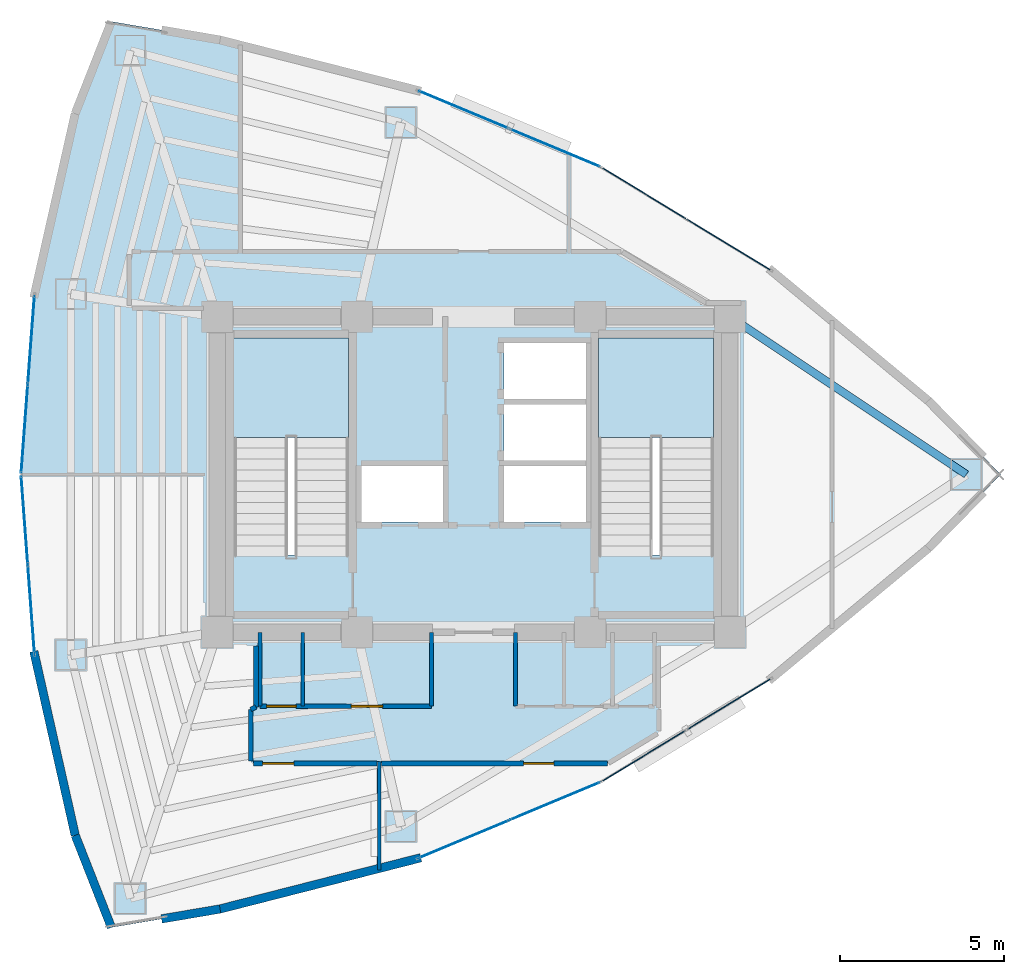
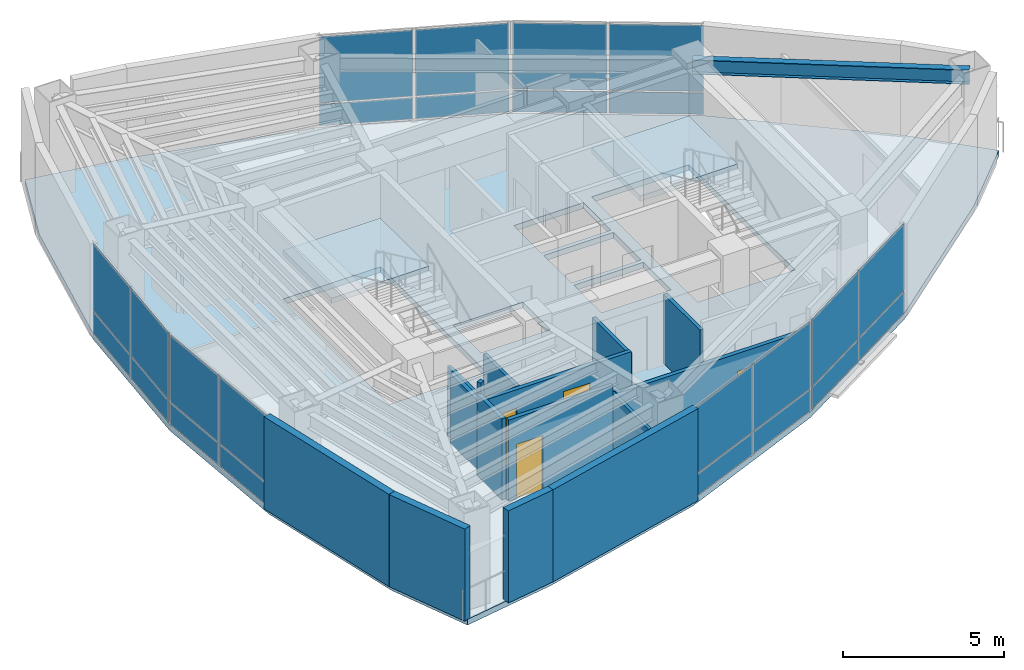
# One storey, part 11 of 15: 24 plates, 15 walls, 4 doors, 3 slabs, 1 beam, 4 openings, 8 elements without a shape of their own.
"""IFC4 building model written with IfcOpenShell, lengths in metres."""

from ifc_helpers import new_model, si_unit, direction, frame, frame_2d, origin, origin_2d, place, context, subcontext, project, spatial, polyline, rectangle, i_section, outline, extrude, material, layer, layer_set, material_profile, profile_set, type_object, element, fill, aggregate, save


model = new_model("IFC4")

# Units and contexts
model_context = context("Model", 3, precision=1e-05, world=origin(), true_north=direction((0.0, 1.0)))
body_context = subcontext(model_context, "Body", "Model", "MODEL_VIEW")
ifc_project = project(units=[si_unit("LENGTHUNIT", "METRE"), si_unit("AREAUNIT", "SQUARE_METRE"), si_unit("VOLUMEUNIT", "CUBIC_METRE"), si_unit("PLANEANGLEUNIT", "RADIAN"), si_unit("MASSUNIT", "GRAM", prefix="KILO")], contexts=[model_context])

# Site, building, storey
site_placement = place(None, origin())
site = spatial("IfcSite", under=ifc_project, at=site_placement, CompositionType="ELEMENT")
building_placement = place(site_placement, origin())
building = spatial("IfcBuilding", under=site, at=building_placement, Name="Menara Vayukalpa", CompositionType="ELEMENT")
storey_placement = place(building_placement, frame((0.0, 0.0, 187.800048828125)))
storey = spatial("IfcBuildingStorey", under=building, at=storey_placement, Name="L47", CompositionType="ELEMENT", Elevation=187.800048828125)

# Beam
ifc_material_1 = material(Name="Steel S355", Category="steel")
ifc_material_profile = material_profile(ifc_material_1, i_section(OverallWidth=0.239990234375, OverallDepth=0.550048828125, WebThickness=0.010986328125, FlangeThickness=0.01904296875, at=origin_2d()), Name="WF 550x240x11x19")
ifc_profile_set = profile_set([ifc_material_profile], Name="Steel S355")
beam_type = type_object("IfcBeamType", Name="BM-SP2", PredefinedType="SPANDREL", material=ifc_profile_set)
beam_placement = place(storey_placement, frame((40.590576171875, 22.0, 3.224853515625), z_axis=(-0.831715622571, 0.555201876052, 0.0), x_axis=(-0.555201876052, -0.831715622571, 0.0)))
element("IfcBeam", 1, at=beam_placement, inside=storey, type_object=beam_type, Name="L47 Perimeter Spandrel Beam SP01", PredefinedType="SPANDREL", context=body_context, shape_type="SweptSolid", body=[
    extrude(i_section(OverallWidth=0.239990234375, OverallDepth=0.550048828125, WebThickness=0.010986328125, FlangeThickness=0.01904296875, at=origin_2d()), origin(), (0.0, 0.0, 1.0), 8.6455078125),
])

# Curtain wall, plates
ifc_material_2 = material(Name="Anodised Terracotta Aluminium Alloy 6063-T6", Category="masonry")
ifc_layer_1 = layer(ifc_material_2, 0.139892578125)
ifc_layer_set_1 = layer_set([ifc_layer_1], Name="Anodised Terracotta Aluminium Alloy 6063-T6")
curtain_wall_type = type_object("IfcCurtainWallType", Name="CW-CW5", PredefinedType="USERDEFINED", material=ifc_layer_set_1)
curtain_wall_1_placement = place(storey_placement, origin())
curtain_wall_1 = element("IfcCurtainWall", 2, at=curtain_wall_1_placement, inside=storey, type_object=curtain_wall_type, Name="L47 High Rise Tapered Curtain Wall CW5 04", ObjectType="UNITISED", PredefinedType="USERDEFINED")
ifc_material_3 = material(Name="Low-E Double Glazing", Category="glass")
ifc_layer_2 = layer(ifc_material_3, 0.028076171875)
ifc_layer_set_2 = layer_set([ifc_layer_2], Name="Low-E Double Glazing")
plate_type = type_object("IfcPlateType", Name="CWP-CW5", PredefinedType="CURTAIN_PANEL", material=ifc_layer_set_2)
plate_1_placement = place(storey_placement, frame((33.358642578125, 28.994384765625, 0.059814453125), z_axis=(0.0, 0.0, 1.0), x_axis=(-0.854664974832, 0.519179911779, 0.0)))
plate_1 = element("IfcPlate", 3, at=plate_1_placement, type_object=plate_type, Name="CW5 panel 1.1", PredefinedType="CURTAIN_PANEL", context=body_context, shape_type="SweptSolid", body=[
    extrude(rectangle(XDim=2.9423828125, YDim=0.028076171875, at=origin_2d()), origin(), (0.0, 0.0, 1.0), 0.81005859375),
])
plate_2_placement = place(storey_placement, frame((33.358642578125, 28.994384765625, 0.93017578125), z_axis=(0.0, 0.0, 1.0), x_axis=(-0.854664974832, 0.519179911779, 0.0)))
plate_2 = element("IfcPlate", 4, at=plate_2_placement, type_object=plate_type, Name="CW5 panel 1.2", PredefinedType="CURTAIN_PANEL", context=body_context, shape_type="SweptSolid", body=[
    extrude(rectangle(XDim=2.9423828125, YDim=0.028076171875, at=origin_2d()), origin(), (0.0, 0.0, 1.0), 2.510009765625),
])
plate_3_placement = place(storey_placement, frame((30.79248046875, 30.55322265625, 0.059814453125), z_axis=(0.0, 0.0, 1.0), x_axis=(-0.854664974832, 0.519179911779, 0.0)))
plate_3 = element("IfcPlate", 5, at=plate_3_placement, type_object=plate_type, Name="CW5 panel 2.1", PredefinedType="CURTAIN_PANEL", context=body_context, shape_type="SweptSolid", body=[
    extrude(rectangle(XDim=2.9423828125, YDim=0.028076171875, at=origin_2d()), origin(), (0.0, 0.0, 1.0), 0.81005859375),
])
plate_4_placement = place(storey_placement, frame((30.79248046875, 30.55322265625, 0.93017578125), z_axis=(0.0, 0.0, 1.0), x_axis=(-0.854664974832, 0.519179911779, 0.0)))
plate_4 = element("IfcPlate", 6, at=plate_4_placement, type_object=plate_type, Name="CW5 panel 2.2", PredefinedType="CURTAIN_PANEL", context=body_context, shape_type="SweptSolid", body=[
    extrude(rectangle(XDim=2.9423828125, YDim=0.028076171875, at=origin_2d()), origin(), (0.0, 0.0, 1.0), 2.510009765625),
])
aggregate(curtain_wall_1, [plate_1, plate_2, plate_3, plate_4])

curtain_wall_2_placement = place(storey_placement, origin())
curtain_wall_2 = element("IfcCurtainWall", 7, at=curtain_wall_2_placement, inside=storey, type_object=curtain_wall_type, Name="L47 High Rise Tapered Curtain Wall CW5 05", ObjectType="UNITISED", PredefinedType="USERDEFINED")
plate_5_placement = place(storey_placement, frame((28.071044921875, 31.93896484375, 0.059814453125), z_axis=(0.0, 0.0, 1.0), x_axis=(-0.922539431351, 0.385902834406, 0.0)))
plate_5 = element("IfcPlate", 8, at=plate_5_placement, type_object=plate_type, Name="CW5 panel 1.1", PredefinedType="CURTAIN_PANEL", context=body_context, shape_type="SweptSolid", body=[
    extrude(rectangle(XDim=2.9423828125, YDim=0.028076171875, at=origin_2d()), origin(), (0.0, 0.0, 1.0), 0.81005859375),
])
plate_6_placement = place(storey_placement, frame((28.071044921875, 31.93896484375, 0.93017578125), z_axis=(0.0, 0.0, 1.0), x_axis=(-0.922539431351, 0.385902834406, 0.0)))
plate_6 = element("IfcPlate", 9, at=plate_6_placement, type_object=plate_type, Name="CW5 panel 1.2", PredefinedType="CURTAIN_PANEL", context=body_context, shape_type="SweptSolid", body=[
    extrude(rectangle(XDim=2.9423828125, YDim=0.028076171875, at=origin_2d()), origin(), (0.0, 0.0, 1.0), 2.510009765625),
])
plate_7_placement = place(storey_placement, frame((25.30126953125, 33.09765625, 0.059814453125), z_axis=(0.0, 0.0, 1.0), x_axis=(-0.922539431351, 0.385902834406, 0.0)))
plate_7 = element("IfcPlate", 10, at=plate_7_placement, type_object=plate_type, Name="CW5 panel 2.1", PredefinedType="CURTAIN_PANEL", context=body_context, shape_type="SweptSolid", body=[
    extrude(rectangle(XDim=2.9423828125, YDim=0.028076171875, at=origin_2d()), origin(), (0.0, 0.0, 1.0), 0.81005859375),
])
plate_8_placement = place(storey_placement, frame((25.30126953125, 33.09765625, 0.93017578125), z_axis=(0.0, 0.0, 1.0), x_axis=(-0.922539431351, 0.385902834406, 0.0)))
plate_8 = element("IfcPlate", 11, at=plate_8_placement, type_object=plate_type, Name="CW5 panel 2.2", PredefinedType="CURTAIN_PANEL", context=body_context, shape_type="SweptSolid", body=[
    extrude(rectangle(XDim=2.9423828125, YDim=0.028076171875, at=origin_2d()), origin(), (0.0, 0.0, 1.0), 2.510009765625),
])
aggregate(curtain_wall_2, [plate_5, plate_6, plate_7, plate_8])

curtain_wall_3_placement = place(storey_placement, origin())
curtain_wall_3 = element("IfcCurtainWall", 12, at=curtain_wall_3_placement, inside=storey, type_object=curtain_wall_type, Name="L47 High Rise Tapered Curtain Wall CW5 10", ObjectType="UNITISED", PredefinedType="USERDEFINED")
plate_9_placement = place(storey_placement, frame((12.139892578125, 26.10205078125, 0.059814453125), z_axis=(0.0, 0.0, 1.0), x_axis=(-0.074791754736, -0.9971991744, 0.0)))
plate_9 = element("IfcPlate", 13, at=plate_9_placement, type_object=plate_type, Name="CW5 panel 1.1", PredefinedType="CURTAIN_PANEL", context=body_context, shape_type="SweptSolid", body=[
    extrude(rectangle(XDim=2.662353515625, YDim=0.028076171875, at=origin_2d()), origin(), (0.0, 0.0, 1.0), 0.81005859375),
])
plate_10_placement = place(storey_placement, frame((12.139892578125, 26.10205078125, 0.93017578125), z_axis=(0.0, 0.0, 1.0), x_axis=(-0.074791754736, -0.9971991744, 0.0)))
plate_10 = element("IfcPlate", 14, at=plate_10_placement, type_object=plate_type, Name="CW5 panel 1.2", PredefinedType="CURTAIN_PANEL", context=body_context, shape_type="SweptSolid", body=[
    extrude(rectangle(XDim=2.662353515625, YDim=0.028076171875, at=origin_2d()), origin(), (0.0, 0.0, 1.0), 2.510009765625),
])
plate_11_placement = place(storey_placement, frame((11.936279296875, 23.38720703125, 0.059814453125), z_axis=(0.0, 0.0, 1.0), x_axis=(-0.074791754736, -0.9971991744, 0.0)))
plate_11 = element("IfcPlate", 15, at=plate_11_placement, type_object=plate_type, Name="CW5 panel 2.1", PredefinedType="CURTAIN_PANEL", context=body_context, shape_type="SweptSolid", body=[
    extrude(rectangle(XDim=2.662353515625, YDim=0.028076171875, at=origin_2d()), origin(), (0.0, 0.0, 1.0), 0.81005859375),
])
plate_12_placement = place(storey_placement, frame((11.936279296875, 23.38720703125, 0.93017578125), z_axis=(0.0, 0.0, 1.0), x_axis=(-0.074791754736, -0.9971991744, 0.0)))
plate_12 = element("IfcPlate", 16, at=plate_12_placement, type_object=plate_type, Name="CW5 panel 2.2", PredefinedType="CURTAIN_PANEL", context=body_context, shape_type="SweptSolid", body=[
    extrude(rectangle(XDim=2.662353515625, YDim=0.028076171875, at=origin_2d()), origin(), (0.0, 0.0, 1.0), 2.510009765625),
])
aggregate(curtain_wall_3, [plate_9, plate_10, plate_11, plate_12])

curtain_wall_4_placement = place(storey_placement, origin())
curtain_wall_4 = element("IfcCurtainWall", 17, at=curtain_wall_4_placement, inside=storey, type_object=curtain_wall_type, Name="L47 High Rise Tapered Curtain Wall CW5 11", ObjectType="UNITISED", PredefinedType="USERDEFINED")
plate_13_placement = place(storey_placement, frame((11.936279296875, 20.61279296875, 0.059814453125), z_axis=(0.0, 0.0, 1.0), x_axis=(0.074791754736, -0.9971991744, 0.0)))
plate_13 = element("IfcPlate", 18, at=plate_13_placement, type_object=plate_type, Name="CW5 panel 1.1", PredefinedType="CURTAIN_PANEL", context=body_context, shape_type="SweptSolid", body=[
    extrude(rectangle(XDim=2.662353515625, YDim=0.028076171875, at=origin_2d()), origin(), (0.0, 0.0, 1.0), 0.81005859375),
])
plate_14_placement = place(storey_placement, frame((11.936279296875, 20.61279296875, 0.93017578125), z_axis=(0.0, 0.0, 1.0), x_axis=(0.074791754736, -0.9971991744, 0.0)))
plate_14 = element("IfcPlate", 19, at=plate_14_placement, type_object=plate_type, Name="CW5 panel 1.2", PredefinedType="CURTAIN_PANEL", context=body_context, shape_type="SweptSolid", body=[
    extrude(rectangle(XDim=2.662353515625, YDim=0.028076171875, at=origin_2d()), origin(), (0.0, 0.0, 1.0), 2.510009765625),
])
plate_15_placement = place(storey_placement, frame((12.139892578125, 17.89794921875, 0.059814453125), z_axis=(0.0, 0.0, 1.0), x_axis=(0.074791754736, -0.9971991744, 0.0)))
plate_15 = element("IfcPlate", 20, at=plate_15_placement, type_object=plate_type, Name="CW5 panel 2.1", PredefinedType="CURTAIN_PANEL", context=body_context, shape_type="SweptSolid", body=[
    extrude(rectangle(XDim=2.662353515625, YDim=0.028076171875, at=origin_2d()), origin(), (0.0, 0.0, 1.0), 0.81005859375),
])
plate_16_placement = place(storey_placement, frame((12.139892578125, 17.89794921875, 0.93017578125), z_axis=(0.0, 0.0, 1.0), x_axis=(0.074791754736, -0.9971991744, 0.0)))
plate_16 = element("IfcPlate", 21, at=plate_16_placement, type_object=plate_type, Name="CW5 panel 2.2", PredefinedType="CURTAIN_PANEL", context=body_context, shape_type="SweptSolid", body=[
    extrude(rectangle(XDim=2.662353515625, YDim=0.028076171875, at=origin_2d()), origin(), (0.0, 0.0, 1.0), 2.510009765625),
])
aggregate(curtain_wall_4, [plate_13, plate_14, plate_15, plate_16])

curtain_wall_5_placement = place(storey_placement, origin())
curtain_wall_5 = element("IfcCurtainWall", 22, at=curtain_wall_5_placement, inside=storey, type_object=curtain_wall_type, Name="L47 High Rise Tapered Curtain Wall CW5 16", ObjectType="UNITISED", PredefinedType="USERDEFINED")
plate_17_placement = place(storey_placement, frame((25.30126953125, 10.90234375, 0.059814453125), z_axis=(0.0, 0.0, 1.0), x_axis=(0.922539431351, 0.385902834406, 0.0)))
plate_17 = element("IfcPlate", 23, at=plate_17_placement, type_object=plate_type, Name="CW5 panel 1.1", PredefinedType="CURTAIN_PANEL", context=body_context, shape_type="SweptSolid", body=[
    extrude(rectangle(XDim=2.9423828125, YDim=0.028076171875, at=origin_2d()), origin(), (0.0, 0.0, 1.0), 0.81005859375),
])
plate_18_placement = place(storey_placement, frame((25.30126953125, 10.90234375, 0.93017578125), z_axis=(0.0, 0.0, 1.0), x_axis=(0.922539431351, 0.385902834406, 0.0)))
plate_18 = element("IfcPlate", 24, at=plate_18_placement, type_object=plate_type, Name="CW5 panel 1.2", PredefinedType="CURTAIN_PANEL", context=body_context, shape_type="SweptSolid", body=[
    extrude(rectangle(XDim=2.9423828125, YDim=0.028076171875, at=origin_2d()), origin(), (0.0, 0.0, 1.0), 2.510009765625),
])
plate_19_placement = place(storey_placement, frame((28.071044921875, 12.06103515625, 0.059814453125), z_axis=(0.0, 0.0, 1.0), x_axis=(0.922539431351, 0.385902834406, 0.0)))
plate_19 = element("IfcPlate", 25, at=plate_19_placement, type_object=plate_type, Name="CW5 panel 2.1", PredefinedType="CURTAIN_PANEL", context=body_context, shape_type="SweptSolid", body=[
    extrude(rectangle(XDim=2.9423828125, YDim=0.028076171875, at=origin_2d()), origin(), (0.0, 0.0, 1.0), 0.81005859375),
])
plate_20_placement = place(storey_placement, frame((28.071044921875, 12.06103515625, 0.93017578125), z_axis=(0.0, 0.0, 1.0), x_axis=(0.922539431351, 0.385902834406, 0.0)))
plate_20 = element("IfcPlate", 26, at=plate_20_placement, type_object=plate_type, Name="CW5 panel 2.2", PredefinedType="CURTAIN_PANEL", context=body_context, shape_type="SweptSolid", body=[
    extrude(rectangle(XDim=2.9423828125, YDim=0.028076171875, at=origin_2d()), origin(), (0.0, 0.0, 1.0), 2.510009765625),
])
aggregate(curtain_wall_5, [plate_17, plate_18, plate_19, plate_20])

curtain_wall_6_placement = place(storey_placement, origin())
curtain_wall_6 = element("IfcCurtainWall", 27, at=curtain_wall_6_placement, inside=storey, type_object=curtain_wall_type, Name="L47 High Rise Tapered Curtain Wall CW5 17", ObjectType="UNITISED", PredefinedType="USERDEFINED")
plate_21_placement = place(storey_placement, frame((30.79248046875, 13.44677734375, 0.059814453125), z_axis=(0.0, 0.0, 1.0), x_axis=(0.854664974832, 0.519179911779, 0.0)))
plate_21 = element("IfcPlate", 28, at=plate_21_placement, type_object=plate_type, Name="CW5 panel 1.1", PredefinedType="CURTAIN_PANEL", context=body_context, shape_type="SweptSolid", body=[
    extrude(rectangle(XDim=2.9423828125, YDim=0.028076171875, at=origin_2d()), origin(), (0.0, 0.0, 1.0), 0.81005859375),
])
plate_22_placement = place(storey_placement, frame((30.79248046875, 13.44677734375, 0.93017578125), z_axis=(0.0, 0.0, 1.0), x_axis=(0.854664974832, 0.519179911779, 0.0)))
plate_22 = element("IfcPlate", 29, at=plate_22_placement, type_object=plate_type, Name="CW5 panel 1.2", PredefinedType="CURTAIN_PANEL", context=body_context, shape_type="SweptSolid", body=[
    extrude(rectangle(XDim=2.9423828125, YDim=0.028076171875, at=origin_2d()), origin(), (0.0, 0.0, 1.0), 2.510009765625),
])
plate_23_placement = place(storey_placement, frame((33.358642578125, 15.005615234375, 0.059814453125), z_axis=(0.0, 0.0, 1.0), x_axis=(0.854664974832, 0.519179911779, 0.0)))
plate_23 = element("IfcPlate", 30, at=plate_23_placement, type_object=plate_type, Name="CW5 panel 2.1", PredefinedType="CURTAIN_PANEL", context=body_context, shape_type="SweptSolid", body=[
    extrude(rectangle(XDim=2.9423828125, YDim=0.028076171875, at=origin_2d()), origin(), (0.0, 0.0, 1.0), 0.81005859375),
])
plate_24_placement = place(storey_placement, frame((33.358642578125, 15.005615234375, 0.93017578125), z_axis=(0.0, 0.0, 1.0), x_axis=(0.854664974832, 0.519179911779, 0.0)))
plate_24 = element("IfcPlate", 31, at=plate_24_placement, type_object=plate_type, Name="CW5 panel 2.2", PredefinedType="CURTAIN_PANEL", context=body_context, shape_type="SweptSolid", body=[
    extrude(rectangle(XDim=2.9423828125, YDim=0.028076171875, at=origin_2d()), origin(), (0.0, 0.0, 1.0), 2.510009765625),
])
aggregate(curtain_wall_6, [plate_21, plate_22, plate_23, plate_24])

# Slab
ifc_material_4 = material(Name="Concrete C40/50", Category="concrete")
ifc_layer_3 = layer(ifc_material_4, 0.219970703125)
ifc_layer_set_3 = layer_set([ifc_layer_3], Name="Concrete C40/50")
slab_type_1 = type_object("IfcSlabType", Name="SLB-FL220", PredefinedType="FLOOR", material=ifc_layer_set_3)
slab_1_placement = place(storey_placement, frame((0.0, 0.0, -0.219970703125)))
element("IfcSlab", 32, at=slab_1_placement, inside=storey, type_object=slab_type_1, Name="L47 Structural Floor Slab", PredefinedType="FLOOR", context=body_context, shape_type="SweptSolid", body=[
    extrude(outline(polyline([(39.439208984375, 19.7578125), (41.640380859375, 22.0), (39.439208984375, 24.2421875), (34.667236328125, 28.19921875), (29.48388671875, 31.34814453125), (23.888671875, 33.688720703125), (17.881591796875, 35.220703125), (14.579833984375, 35.781005859375), (13.47900390625, 32.978515625), (12.243896484375, 27.4892578125), (11.832275390625, 22.0), (12.243896484375, 16.5107421875), (13.47900390625, 11.021484375), (14.579833984375, 8.218994140625), (17.881591796875, 8.779296875), (23.888671875, 10.311279296875), (29.48388671875, 12.65185546875), (34.667236328125, 15.80078125), (39.439208984375, 19.7578125)]), holes=[polyline([(21.800048828125, 19.550048828125), (21.800048828125, 26.14990234375), (18.300048828125, 26.14990234375), (18.300048828125, 19.550048828125), (21.800048828125, 19.550048828125)]), polyline([(32.89990234375, 19.550048828125), (32.89990234375, 26.14990234375), (29.39990234375, 26.14990234375), (29.39990234375, 19.550048828125), (32.89990234375, 19.550048828125)]), polyline([(22.179931640625, 20.550048828125), (24.679931640625, 20.550048828125), (24.679931640625, 22.27001953125), (22.179931640625, 22.27001953125), (22.179931640625, 20.550048828125)]), polyline([(26.52001953125, 20.550048828125), (29.02001953125, 20.550048828125), (29.02001953125, 22.27001953125), (26.52001953125, 22.27001953125), (26.52001953125, 20.550048828125)]), polyline([(26.52001953125, 24.2900390625), (29.02001953125, 24.2900390625), (29.02001953125, 26.010009765625), (26.52001953125, 26.010009765625), (26.52001953125, 24.2900390625)]), polyline([(26.52001953125, 22.419921875), (29.02001953125, 22.419921875), (29.02001953125, 24.139892578125), (26.52001953125, 24.139892578125), (26.52001953125, 22.419921875)])]), origin(), (0.0, 0.0, 1.0), 0.219970703125),
])

# Stair, slab
ifc_material_5 = material(Name="Precast Concrete C40/50", Category="concrete")
stair_type = type_object("IfcStairType", Name="STR-T04", PredefinedType="DOUBLE_RETURN_STAIR", material=ifc_material_5)
stair_1_placement = place(storey_placement, origin())
stair_1 = element("IfcStair", 33, at=stair_1_placement, inside=storey, type_object=stair_type, Name="L47 Core Exit Stair ST-1", PredefinedType="DOUBLE_RETURN_STAIR")
ifc_material_6 = material(Name="Precast Concrete C40/50", Category="concrete")
ifc_layer_4 = layer(ifc_material_6, 0.199951171875)
ifc_layer_set_4 = layer_set([ifc_layer_4], Name="Precast Concrete C40/50")
slab_type_2 = type_object("IfcSlabType", Name="SLB-LND200", PredefinedType="LANDING", material=ifc_layer_set_4)
slab_2_placement = place(storey_placement, frame((0.0, 0.0, 1.659912109375)))
slab_2 = element("IfcSlab", 34, at=slab_2_placement, type_object=slab_type_2, Name="ST-1 landing 1", PredefinedType="LANDING", context=body_context, shape_type="SweptSolid", body=[
    extrude(outline(polyline([(21.800048828125, 23.1298828125), (21.800048828125, 26.14990234375), (18.300048828125, 26.14990234375), (18.300048828125, 23.1298828125), (21.800048828125, 23.1298828125)])), origin(), (0.0, 0.0, 1.0), 0.199951171875),
])
aggregate(stair_1, [slab_2])

stair_2_placement = place(storey_placement, origin())
stair_2 = element("IfcStair", 35, at=stair_2_placement, inside=storey, type_object=stair_type, Name="L47 Core Exit Stair ST-2", PredefinedType="DOUBLE_RETURN_STAIR")
slab_3_placement = place(storey_placement, frame((0.0, 0.0, 1.659912109375)))
slab_3 = element("IfcSlab", 36, at=slab_3_placement, type_object=slab_type_2, Name="ST-2 landing 1", PredefinedType="LANDING", context=body_context, shape_type="SweptSolid", body=[
    extrude(outline(polyline([(32.89990234375, 23.1298828125), (32.89990234375, 26.14990234375), (29.39990234375, 26.14990234375), (29.39990234375, 23.1298828125), (32.89990234375, 23.1298828125)])), origin(), (0.0, 0.0, 1.0), 0.199951171875),
])
aggregate(stair_2, [slab_3])

# Walls
ifc_material_7 = material(Name="Insulated Precast Concrete C40/50", Category="concrete")
ifc_layer_5 = layer(ifc_material_7, 0.260009765625)
ifc_layer_set_5 = layer_set([ifc_layer_5], Name="Insulated Precast Concrete C40/50")
wall_type_1 = type_object("IfcWallType", Name="WAL-EXT260", PredefinedType="PARTITIONING", material=ifc_layer_set_5)
wall_1_placement = place(storey_placement, frame((13.47900390625, 11.021484375, 0.0), z_axis=(0.0, 0.0, 1.0), x_axis=(-0.219475737697, 0.975617958303, 0.0)))
element("IfcWall", 37, at=wall_1_placement, inside=storey, type_object=wall_type_1, Name="L47 Perimeter Terracotta Pier Wall 12", PredefinedType="PARTITIONING", context=body_context, shape_type="SweptSolid", body=[
    extrude(rectangle(XDim=5.736572265625, YDim=0.260009765625, at=frame_2d((2.8681640625, 0.0))), origin(), (0.0, 0.0, 1.0), 3.5),
])
wall_2_placement = place(storey_placement, frame((14.579833984375, 8.218994140625, 0.0), z_axis=(0.0, 0.0, 1.0), x_axis=(-0.365609724313, 0.930768246927, 0.0)))
element("IfcWall", 38, at=wall_2_placement, inside=storey, type_object=wall_type_1, Name="L47 Perimeter Terracotta Pier Wall 13", PredefinedType="PARTITIONING", context=body_context, shape_type="SweptSolid", body=[
    extrude(rectangle(XDim=3.010986328125, YDim=0.260009765625, at=frame_2d((1.50537109375, 0.0))), origin(), (0.0, 0.0, 1.0), 3.5),
])
wall_3_placement = place(storey_placement, frame((17.8876953125, 8.780517578125, 0.0), z_axis=(0.0, 0.0, 1.0), x_axis=(-0.985877723898, -0.167466753484, 0.0)))
element("IfcWall", 39, at=wall_3_placement, inside=storey, type_object=wall_type_1, Name="L47 Perimeter Terracotta Pier Wall 14", PredefinedType="PARTITIONING", context=body_context, shape_type="SweptSolid", body=[
    extrude(rectangle(XDim=1.80615234375, YDim=0.260009765625, at=frame_2d((0.903076171875, 0.0))), origin(), (0.0, 0.0, 1.0), 3.5),
])
wall_4_placement = place(storey_placement, frame((23.9951171875, 10.338623046875, 0.0), z_axis=(0.0, 0.0, 1.0), x_axis=(-0.968976240439, -0.247153890246, 0.0)))
element("IfcWall", 40, at=wall_4_placement, inside=storey, type_object=wall_type_1, Name="L47 Perimeter Terracotta Pier Wall 15", PredefinedType="PARTITIONING", context=body_context, shape_type="SweptSolid", body=[
    extrude(rectangle(XDim=6.31494140625, YDim=0.260009765625, at=frame_2d((3.157470703125, 0.0))), origin(), (0.0, 0.0, 1.0), 3.5),
])
ifc_material_8 = material(Name="Acoustic Mineral Stud Partition", Category="masonry")
ifc_layer_6 = layer(ifc_material_8, 0.110107421875)
ifc_layer_set_6 = layer_set([ifc_layer_6], Name="Acoustic Mineral Stud Partition")
wall_type_2 = type_object("IfcWallType", Name="WAL-PT110", PredefinedType="PARTITIONING", material=ifc_layer_set_6)
wall_5_placement = place(storey_placement, frame((20.39990234375, 14.949951171875, 0.0), z_axis=(0.0, 0.0, 1.0), x_axis=(0.0, 1.0, 0.0)))
element("IfcWall", 41, at=wall_5_placement, inside=storey, type_object=wall_type_2, Name="L47 Interior Partition IW-L47-SVCD-02", PredefinedType="PARTITIONING", context=body_context, shape_type="SweptSolid", body=[
    extrude(rectangle(XDim=2.25, YDim=0.110107421875, at=frame_2d((1.125, 0.0))), origin(), (0.0, 0.0, 1.0), 2.6298828125),
])
wall_6_placement = place(storey_placement, frame((22.724853515625, 9.973388671875, 0.0), z_axis=(0.0, 0.0, 1.0), x_axis=(0.0, 1.0, 0.0)))
element("IfcWall", 42, at=wall_6_placement, inside=storey, type_object=wall_type_2, Name="L47 Interior Partition IW-L47-RDIV05", PredefinedType="PARTITIONING", context=body_context, shape_type="SweptSolid", body=[
    extrude(rectangle(XDim=3.296630859375, YDim=0.110107421875, at=frame_2d((1.6484375, 0.0))), origin(), (0.0, 0.0, 1.0), 2.72998046875),
])
ifc_material_9 = material(Name="Gypsum Drywall Steel Stud Assembly", Category="steel")
ifc_layer_7 = layer(ifc_material_9, 0.125)
ifc_layer_set_7 = layer_set([ifc_layer_7], Name="Gypsum Drywall Steel Stud Assembly")
wall_type_3 = type_object("IfcWallType", Name="WAL-PT125", PredefinedType="PARTITIONING", material=ifc_layer_set_7)
for number, where, z_axis, x_axis, name in (
    (43, (19.10009765625, 14.949951171875, 0.0), (0.0, 0.0, 1.0), (0.0, 1.0, 0.0), "L47 Interior Partition IW-L47-SVCD-01"),
    (44, (24.320068359375, 14.949951171875, 0.0), (0.0, 0.0, 1.0), (0.0, 1.0, 0.0), "L47 Interior Partition IW-L47-SVCD-03"),
    (45, (26.8798828125, 14.949951171875, 0.0), (0.0, 0.0, 1.0), (0.0, 1.0, 0.0), "L47 Interior Partition IW-L47-SVCD-04"),
):
    element("IfcWall", number, at=place(storey_placement, frame(where, z_axis=z_axis, x_axis=x_axis)), inside=storey, type_object=wall_type_3, Name=name, PredefinedType="PARTITIONING", context=body_context, shape_type="SweptSolid", body=[
        extrude(rectangle(XDim=2.25, YDim=0.125, at=frame_2d((1.125, 0.0))), origin(), (0.0, 0.0, 1.0), 2.6298828125),
    ])

# Wall, openings, doors
ifc_material_10 = material(Name="Gypsum Drywall Acoustic Stud Assembly", Category="masonry")
ifc_layer_8 = layer(ifc_material_10, 0.14501953125)
ifc_layer_set_8 = layer_set([ifc_layer_8], Name="Gypsum Drywall Acoustic Stud Assembly")
wall_type_4 = type_object("IfcWallType", Name="WAL-PT150", PredefinedType="PARTITIONING", material=ifc_layer_set_8)
wall_7_placement = place(storey_placement, frame((19.10009765625, 14.949951171875, 0.0), z_axis=(0.0, 0.0, 1.0), x_axis=(1.0, 0.0, 0.0)))
wall_7 = element("IfcWall", 46, at=wall_7_placement, inside=storey, type_object=wall_type_4, Name="L47 Interior Partition IW-L47-SVCS-W", PredefinedType="PARTITIONING", context=body_context, shape_type="SweptSolid", body=[
    extrude(rectangle(XDim=5.219970703125, YDim=0.14501953125, at=frame_2d((2.60986328125, 0.0))), origin(), (0.0, 0.0, 1.0), 2.72998046875),
])
opening_1_placement = place(wall_7_placement, frame((0.199951171875, 0.0, 0.0)))
opening_1 = element("IfcOpeningElement", 47, at=opening_1_placement, cuts=wall_7, Name="Opening ID7", PredefinedType="OPENING", context=body_context, shape_type="SweptSolid", body=[
    extrude(rectangle(XDim=0.89990234375, YDim=2.02001953125, at=frame_2d((0.449951171875, 1.010009765625))), frame((0.0, 0.08251953125, 0.0), z_axis=(0.0, -1.0, 0.0), x_axis=(1.0, 0.0, 0.0)), (0.0, 0.0, 1.0), 0.1650390625),
])
opening_2_placement = place(wall_7_placement, frame((2.784912109375, 0.0, 0.0)))
opening_2 = element("IfcOpeningElement", 48, at=opening_2_placement, cuts=wall_7, Name="Opening ID5", PredefinedType="OPENING", context=body_context, shape_type="SweptSolid", body=[
    extrude(rectangle(XDim=0.949951171875, YDim=2.06005859375, at=frame_2d((0.47509765625, 1.030029296875))), frame((0.0, 0.08251953125, 0.0), z_axis=(0.0, -1.0, 0.0), x_axis=(1.0, 0.0, 0.0)), (0.0, 0.0, 1.0), 0.1650390625),
])
ifc_material_11 = material(Name="Acoustic Hardwood Veneer Timber Door", Category="wood")
door_type_1 = type_object("IfcDoorType", Name="DR-INT95", OperationType="NOTDEFINED", PredefinedType="DOOR", material=ifc_material_11)
door_1_placement = place(opening_2_placement, origin())
door_1 = element("IfcDoor", 49, at=door_1_placement, inside=storey, type_object=door_type_1, Name="L47 Interior Door DR-L47-AWC", OperationType="SINGLE_SWING_LEFT", OverallHeight=2.06005859375, OverallWidth=0.949951171875, PredefinedType="DOOR", context=body_context, shape_type="SweptSolid", body=[
    extrude(rectangle(XDim=0.949951171875, YDim=2.06005859375, at=frame_2d((0.47509765625, 1.030029296875))), frame((0.0, 0.02490234375, 0.0), z_axis=(0.0, -1.0, 0.0), x_axis=(1.0, 0.0, 0.0)), (0.0, 0.0, 1.0), 0.050048828125),
])
fill(opening_2, door_1)
ifc_material_12 = material(Name="Powder-Coated Steel Riser Access Door", Category="steel")
door_type_2 = type_object("IfcDoorType", Name="DR-RISER", OperationType="NOTDEFINED", PredefinedType="DOOR", material=ifc_material_12)
door_2_placement = place(opening_1_placement, origin())
door_2 = element("IfcDoor", 50, at=door_2_placement, inside=storey, type_object=door_type_2, Name="L47 Interior Door DR-L47-ELR", OperationType="SINGLE_SWING_RIGHT", OverallHeight=2.02001953125, OverallWidth=0.89990234375, PredefinedType="DOOR", context=body_context, shape_type="SweptSolid", body=[
    extrude(rectangle(XDim=0.89990234375, YDim=2.02001953125, at=frame_2d((0.449951171875, 1.010009765625))), frame((0.0, 0.02490234375, 0.0), z_axis=(0.0, -1.0, 0.0), x_axis=(1.0, 0.0, 0.0)), (0.0, 0.0, 1.0), 0.050048828125),
])
fill(opening_1, door_2)

# Walls
wall_8_placement = place(storey_placement, frame((18.97998046875, 16.780029296875, 0.0), z_axis=(0.0, 0.0, 1.0), x_axis=(0.0, -1.0, 0.0)))
element("IfcWall", 51, at=wall_8_placement, inside=storey, type_object=wall_type_4, Name="L47 Interior Partition IW-L47-CRM01-1", PredefinedType="PARTITIONING", context=body_context, shape_type="SweptSolid", body=[
    extrude(rectangle(XDim=1.85009765625, YDim=0.14501953125, at=frame_2d((0.925048828125, 0.0))), origin(), (0.0, 0.0, 1.0), 2.6298828125),
])
wall_9_placement = place(storey_placement, frame((18.820068359375, 14.85009765625, 0.0), z_axis=(0.0, 0.0, 1.0), x_axis=(0.0, -1.0, 0.0)))
element("IfcWall", 52, at=wall_9_placement, inside=storey, type_object=wall_type_4, Name="L47 Interior Partition IW-L47-CRM01-2", PredefinedType="PARTITIONING", context=body_context, shape_type="SweptSolid", body=[
    extrude(rectangle(XDim=1.56005859375, YDim=0.14501953125, at=frame_2d((0.780029296875, 0.0))), origin(), (0.0, 0.0, 1.0), 3.079833984375),
])

# Wall, opening, door
wall_10_placement = place(storey_placement, frame((18.89990234375, 13.2099609375, 0.0), z_axis=(0.0, 0.0, 1.0), x_axis=(1.0, 0.0, 0.0)))
wall_10 = element("IfcWall", 53, at=wall_10_placement, inside=storey, type_object=wall_type_4, Name="L47 Interior Partition IW-L47-CRM01-3", PredefinedType="PARTITIONING", context=body_context, shape_type="SweptSolid", body=[
    extrude(rectangle(XDim=3.7548828125, YDim=0.14501953125, at=frame_2d((1.87744140625, 0.0))), origin(), (0.0, 0.0, 1.0), 3.079833984375),
])
opening_3_placement = place(wall_10_placement, frame((0.280029296875, 0.0, 0.0)))
opening_3 = element("IfcOpeningElement", 54, at=opening_3_placement, cuts=wall_10, Name="Opening ID5", PredefinedType="OPENING", context=body_context, shape_type="SweptSolid", body=[
    extrude(rectangle(XDim=0.949951171875, YDim=2.06005859375, at=frame_2d((0.47509765625, 1.030029296875))), frame((0.0, 0.08251953125, 0.0), z_axis=(0.0, -1.0, 0.0), x_axis=(1.0, 0.0, 0.0)), (0.0, 0.0, 1.0), 0.1650390625),
])
door_3_placement = place(opening_3_placement, origin())
door_3 = element("IfcDoor", 55, at=door_3_placement, inside=storey, type_object=door_type_1, Name="L47 Interior Door DR-L47-RM01", OperationType="SINGLE_SWING_LEFT", OverallHeight=2.06005859375, OverallWidth=0.949951171875, PredefinedType="DOOR", context=body_context, shape_type="SweptSolid", body=[
    extrude(rectangle(XDim=0.949951171875, YDim=2.06005859375, at=frame_2d((0.47509765625, 1.030029296875))), frame((0.0, 0.02490234375, 0.0), z_axis=(0.0, -1.0, 0.0), x_axis=(1.0, 0.0, 0.0)), (0.0, 0.0, 1.0), 0.050048828125),
])
fill(opening_3, door_3)

wall_11_placement = place(storey_placement, frame((22.794921875, 13.2099609375, 0.0), z_axis=(0.0, 0.0, 1.0), x_axis=(1.0, 0.0, 0.0)))
wall_11 = element("IfcWall", 56, at=wall_11_placement, inside=storey, type_object=wall_type_4, Name="L47 Interior Partition IW-L47-CRM02-1", PredefinedType="PARTITIONING", context=body_context, shape_type="SweptSolid", body=[
    extrude(rectangle(XDim=6.87255859375, YDim=0.14501953125, at=frame_2d((3.436279296875, 0.0))), origin(), (0.0, 0.0, 1.0), 2.72998046875),
])
opening_4_placement = place(wall_11_placement, frame((4.324462890625, 0.0, 0.0)))
opening_4 = element("IfcOpeningElement", 57, at=opening_4_placement, cuts=wall_11, Name="Opening ID6", PredefinedType="OPENING", context=body_context, shape_type="SweptSolid", body=[
    extrude(rectangle(XDim=0.919921875, YDim=2.050048828125, at=frame_2d((0.4599609375, 1.02490234375))), frame((0.0, 0.08251953125, 0.0), z_axis=(0.0, -1.0, 0.0), x_axis=(1.0, 0.0, 0.0)), (0.0, 0.0, 1.0), 0.1650390625),
])
ifc_material_13 = material(Name="Acoustic Hardwood Veneer Timber Door", Category="wood")
door_type_3 = type_object("IfcDoorType", Name="DR-INT92", OperationType="NOTDEFINED", PredefinedType="DOOR", material=ifc_material_13)
door_4_placement = place(opening_4_placement, origin())
door_4 = element("IfcDoor", 58, at=door_4_placement, inside=storey, type_object=door_type_3, Name="L47 Interior Door DR-L47-RM02", OperationType="SINGLE_SWING_RIGHT", OverallHeight=2.050048828125, OverallWidth=0.919921875, PredefinedType="DOOR", context=body_context, shape_type="SweptSolid", body=[
    extrude(rectangle(XDim=0.919921875, YDim=2.050048828125, at=frame_2d((0.4599609375, 1.02490234375))), frame((0.0, 0.02490234375, 0.0), z_axis=(0.0, -1.0, 0.0), x_axis=(1.0, 0.0, 0.0)), (0.0, 0.0, 1.0), 0.050048828125),
])
fill(opening_4, door_4)

# Wall
wall_12_placement = place(storey_placement, frame((18.820068359375, 14.85009765625, 0.0), z_axis=(0.0, 0.0, 1.0), x_axis=(0.89470021502, 0.446667130247, 0.0)))
element("IfcWall", 59, at=wall_12_placement, inside=storey, type_object=wall_type_4, Name="L47 Interior Partition IW-L47-CRM01-2-R0", PredefinedType="PARTITIONING", context=body_context, shape_type="SweptSolid", body=[
    extrude(rectangle(XDim=0.1787109375, YDim=0.14501953125, at=frame_2d((0.08935546875, 0.0))), origin(), (0.0, 0.0, 1.0), 3.5),
])

save(model, "model.ifc")
